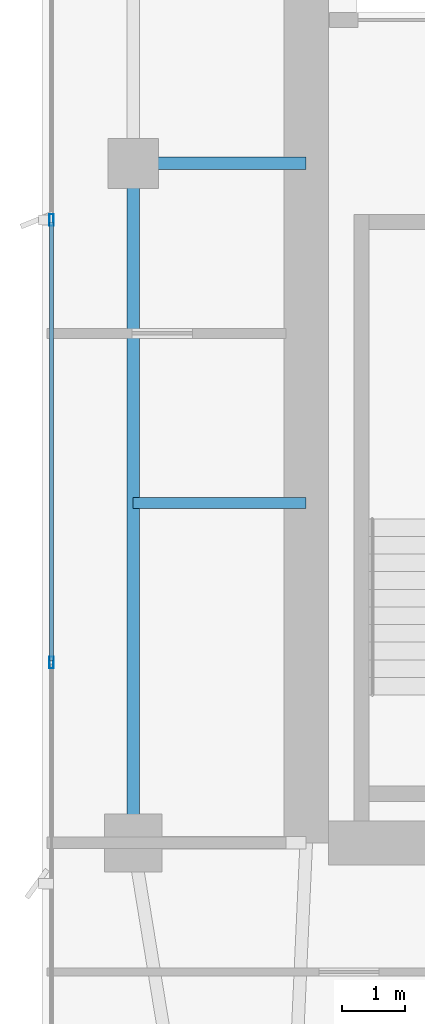
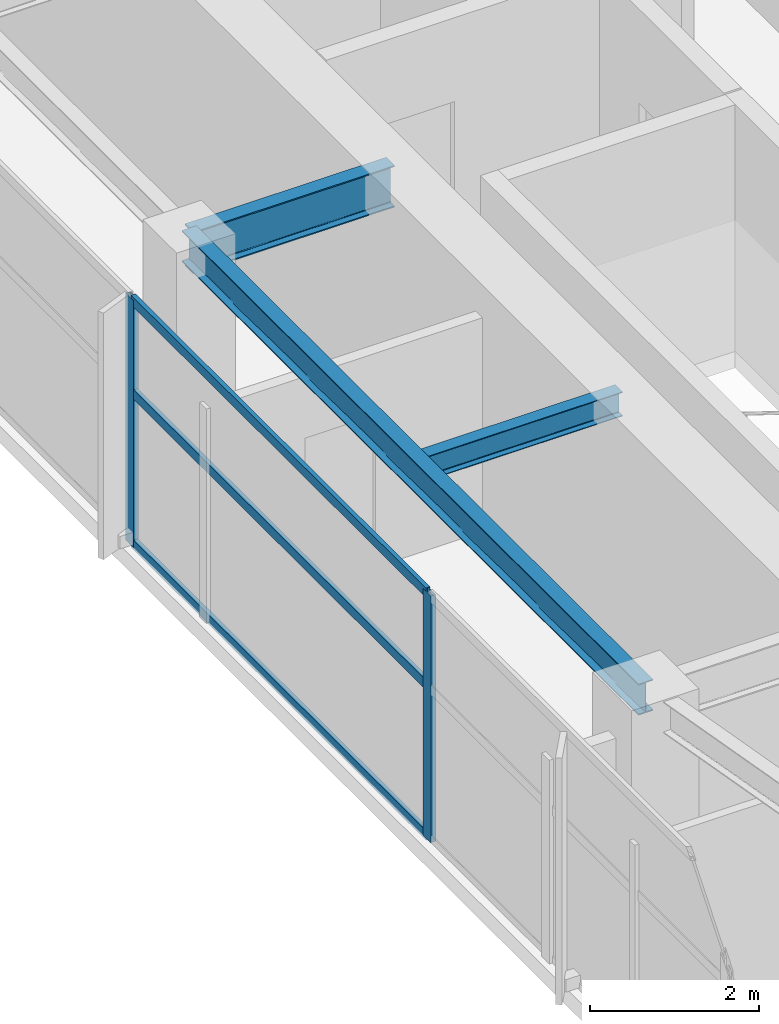
# One storey, part 8 of 27: 5 members, 3 beams, 1 element without a shape of its own.
"""IFC4 building model written with IfcOpenShell, lengths in metres."""

from ifc_helpers import new_model, si_unit, direction, frame, origin, origin_2d, place, context, subcontext, project, spatial, hollow_rectangle, i_section, extrude, material, layer, layer_set, material_profile, profile_set, type_object, element, aggregate, save


model = new_model("IFC4")

# Units and contexts
model_context = context("Model", 3, precision=1e-05, world=origin(), true_north=direction((0.0, 1.0)))
body_context = subcontext(model_context, "Body", "Model", "MODEL_VIEW")
ifc_project = project(units=[si_unit("LENGTHUNIT", "METRE"), si_unit("AREAUNIT", "SQUARE_METRE"), si_unit("VOLUMEUNIT", "CUBIC_METRE"), si_unit("PLANEANGLEUNIT", "RADIAN"), si_unit("MASSUNIT", "GRAM", prefix="KILO")], contexts=[model_context])

# Site, building, storey
site_placement = place(None, origin())
site = spatial("IfcSite", under=ifc_project, at=site_placement, CompositionType="ELEMENT")
building_placement = place(site_placement, origin())
building = spatial("IfcBuilding", under=site, at=building_placement, Name="Calvorn Quay Hotel", CompositionType="ELEMENT")
storey_placement = place(building_placement, frame((0.0, 0.0, 226.89990234375)))
storey = spatial("IfcBuildingStorey", under=building, at=storey_placement, Name="L56", CompositionType="ELEMENT", Elevation=226.89990234375)

# Beams
ifc_material_1 = material(Name="Steel Q355B", Category="steel")
ifc_material_profile_1 = material_profile(ifc_material_1, i_section(OverallWidth=0.199951171875, OverallDepth=0.60009765625, WebThickness=0.010986328125, FlangeThickness=0.01708984375, FilletRadius=0.01806640625, at=origin_2d()), Name="HN600x200x11x17")
ifc_profile_set_1 = profile_set([ifc_material_profile_1], Name="Steel Q355B")
beam_type_1 = type_object("IfcBeamType", Name="BM-GIRD-TYP", PredefinedType="BEAM", material=ifc_profile_set_1)
beam_1_placement = place(storey_placement, frame((1.449951171875, 27.60009765625, 3.239990234375), z_axis=(1.0, 0.0, 0.0), x_axis=(0.0, 1.0, 0.0)))
element("IfcBeam", 1, at=beam_1_placement, inside=storey, type_object=beam_type_1, Name="Beam BG-L56-W2", PredefinedType="BEAM", context=body_context, shape_type="SweptSolid", body=[
    extrude(i_section(OverallWidth=0.199951171875, OverallDepth=0.60009765625, WebThickness=0.010986328125, FlangeThickness=0.01708984375, FilletRadius=0.01806640625, at=origin_2d()), origin(), (0.0, 0.0, 1.0), 2.75),
])
ifc_material_2 = material(Name="Steel Q355B", Category="steel")
ifc_material_profile_2 = material_profile(ifc_material_2, i_section(OverallWidth=0.175048828125, OverallDepth=0.35009765625, WebThickness=0.007080078125, FlangeThickness=0.010986328125, FilletRadius=0.013916015625, at=origin_2d()), Name="HN350x175x7x11")
ifc_profile_set_2 = profile_set([ifc_material_profile_2], Name="Steel Q355B")
beam_type_2 = type_object("IfcBeamType", Name="BM-JOIST-SEC", PredefinedType="JOIST", material=ifc_profile_set_2)
beam_2_placement = place(storey_placement, frame((1.449951171875, 22.199951171875, 3.364990234375), z_axis=(1.0, 0.0, 0.0), x_axis=(0.0, 1.0, 0.0)))
element("IfcBeam", 2, at=beam_2_placement, inside=storey, type_object=beam_type_2, Name="Beam BJ-L56-W3", PredefinedType="JOIST", context=body_context, shape_type="SweptSolid", body=[
    extrude(i_section(OverallWidth=0.175048828125, OverallDepth=0.35009765625, WebThickness=0.007080078125, FlangeThickness=0.010986328125, FilletRadius=0.013916015625, at=origin_2d()), origin(), (0.0, 0.0, 1.0), 2.75),
])
ifc_material_3 = material(Name="Steel Q355B", Category="steel")
ifc_material_profile_3 = material_profile(ifc_material_3, i_section(OverallWidth=0.199951171875, OverallDepth=0.449951171875, WebThickness=0.009033203125, FlangeThickness=0.013916015625, FilletRadius=0.01611328125, at=origin_2d()), Name="HN450x200x9x14")
ifc_profile_set_3 = profile_set([ifc_material_profile_3], Name="Steel Q355B")
beam_type_3 = type_object("IfcBeamType", Name="BM-SPANDREL-Z3", PredefinedType="SPANDREL", material=ifc_profile_set_3)
beam_3_placement = place(storey_placement, frame((1.449951171875, 16.800048828125, 3.315185546875), z_axis=(0.0, 1.0, 0.0), x_axis=(-1.0, 0.0, 0.0)))
element("IfcBeam", 3, at=beam_3_placement, inside=storey, type_object=beam_type_3, Name="Beam BSP-L56-W2", PredefinedType="SPANDREL", context=body_context, shape_type="SweptSolid", body=[
    extrude(i_section(OverallWidth=0.199951171875, OverallDepth=0.449951171875, WebThickness=0.009033203125, FlangeThickness=0.013916015625, FilletRadius=0.01611328125, at=origin_2d()), origin(), (0.0, 0.0, 1.0), 10.800048828125),
])

# Curtain wall, members
ifc_material_4 = material(Name="Champagne Bronze Anodised Aluminium and Low-E Glass", Category="aluminium")
ifc_layer = layer(ifc_material_4, 0.219970703125)
ifc_layer_set = layer_set([ifc_layer], Name="CW-SYS-Z3")
curtain_wall_type = type_object("IfcCurtainWallType", Name="CW-SYS-Z3", PredefinedType="NOTDEFINED", material=ifc_layer_set)
curtain_wall_placement = place(storey_placement, origin())
curtain_wall = element("IfcCurtainWall", 4, at=curtain_wall_placement, inside=storey, type_object=curtain_wall_type, Name="Tower West Curtain Wall (L56)", PredefinedType="NOTDEFINED")
ifc_material_5 = material(Name="Champagne Bronze Anodised Aluminium 6063-T6", Category="aluminium")
ifc_material_profile_4 = material_profile(ifc_material_5, hollow_rectangle(XDim=0.068115234375, YDim=0.18505859375, WallThickness=0.00390625, at=origin_2d()), Name="ALU-M185x68x4")
ifc_profile_set_4 = profile_set([ifc_material_profile_4], Name="Champagne Bronze Anodised Aluminium 6063-T6")
member_type_1 = type_object("IfcMemberType", Name="CW-SYS-Z3-MUL", PredefinedType="MULLION", material=ifc_profile_set_4)
member_1_placement = place(storey_placement, frame((0.14990234375, 19.666748046875, 0.0), z_axis=(0.0, 0.0, 1.0), x_axis=(-1.0, 0.0, 0.0)))
member_1 = element("IfcMember", 5, at=member_1_placement, type_object=member_type_1, Name="CW-L56-W mullion 3", PredefinedType="MULLION", context=body_context, shape_type="SweptSolid", body=[
    extrude(hollow_rectangle(XDim=0.068115234375, YDim=0.18505859375, WallThickness=0.00390625, at=origin_2d()), origin(), (0.0, 0.0, 1.0), 3.56005859375),
])
member_2_placement = place(storey_placement, frame((0.14990234375, 26.699951171875, 0.0), z_axis=(0.0, 0.0, 1.0), x_axis=(-1.0, 0.0, 0.0)))
member_2 = element("IfcMember", 6, at=member_2_placement, type_object=member_type_1, Name="CW-L56-W mullion 4", PredefinedType="MULLION", context=body_context, shape_type="SweptSolid", body=[
    extrude(hollow_rectangle(XDim=0.068115234375, YDim=0.18505859375, WallThickness=0.00390625, at=origin_2d()), origin(), (0.0, 0.0, 1.0), 3.56005859375),
])
ifc_material_6 = material(Name="Champagne Bronze Anodised Aluminium 6063-T6", Category="aluminium")
ifc_material_profile_5 = material_profile(ifc_material_6, hollow_rectangle(XDim=0.05810546875, YDim=0.139892578125, WallThickness=0.003173828125, at=origin_2d()), Name="ALU-T140x58x3.2")
ifc_profile_set_5 = profile_set([ifc_material_profile_5], Name="Champagne Bronze Anodised Aluminium 6063-T6")
member_type_2 = type_object("IfcMemberType", Name="CW-SYS-Z3-TRN", PredefinedType="USERDEFINED", material=ifc_profile_set_5)
member_3_placement = place(storey_placement, frame((0.14990234375, 19.69677734375, 0.030029296875), z_axis=(0.0, 1.0, 0.0), x_axis=(-1.0, 0.0, 0.0)))
member_3 = element("IfcMember", 7, at=member_3_placement, type_object=member_type_2, Name="CW-L56-W transom 3.1", ObjectType="TRANSOM", PredefinedType="USERDEFINED", context=body_context, shape_type="SweptSolid", body=[
    extrude(hollow_rectangle(XDim=0.05810546875, YDim=0.139892578125, WallThickness=0.003173828125, at=origin_2d()), origin(), (0.0, 0.0, 1.0), 6.97314453125),
])
member_4_placement = place(storey_placement, frame((0.14990234375, 19.69677734375, 2.2001953125), z_axis=(0.0, 1.0, 0.0), x_axis=(-1.0, 0.0, 0.0)))
member_4 = element("IfcMember", 8, at=member_4_placement, type_object=member_type_2, Name="CW-L56-W transom 3.2", ObjectType="TRANSOM", PredefinedType="USERDEFINED", context=body_context, shape_type="SweptSolid", body=[
    extrude(hollow_rectangle(XDim=0.05810546875, YDim=0.139892578125, WallThickness=0.003173828125, at=origin_2d()), origin(), (0.0, 0.0, 1.0), 6.97314453125),
])
member_5_placement = place(storey_placement, frame((0.14990234375, 19.69677734375, 3.530029296875), z_axis=(0.0, 1.0, 0.0), x_axis=(-1.0, 0.0, 0.0)))
member_5 = element("IfcMember", 9, at=member_5_placement, type_object=member_type_2, Name="CW-L56-W transom 3.3", ObjectType="TRANSOM", PredefinedType="USERDEFINED", context=body_context, shape_type="SweptSolid", body=[
    extrude(hollow_rectangle(XDim=0.05810546875, YDim=0.139892578125, WallThickness=0.003173828125, at=origin_2d()), origin(), (0.0, 0.0, 1.0), 6.97314453125),
])
aggregate(curtain_wall, [member_1, member_2, member_3, member_4, member_5])

save(model, "model.ifc")
